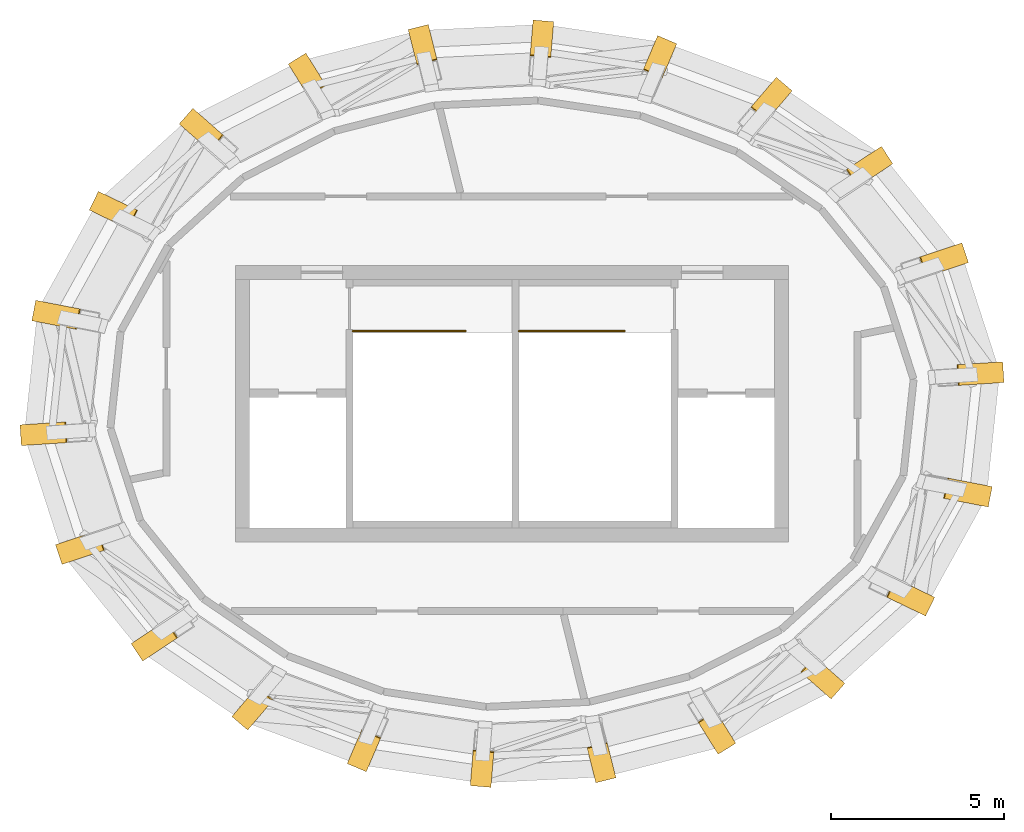
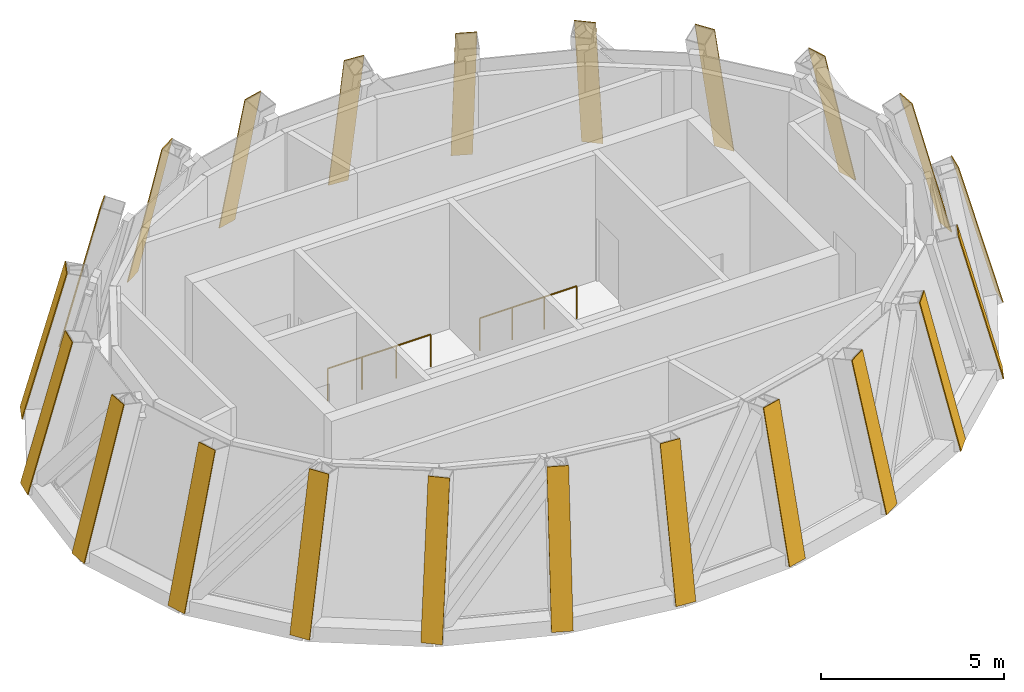
# One storey, part 6 of 6: 22 coverings, 2 railings.
"""IFC4 building model written with IfcOpenShell, lengths in metres."""

from ifc_helpers import new_model, si_unit, direction, frame, origin, origin_2d, place, context, subcontext, project, spatial, polyline, circle, outline, extrude, source, transform, mapped, material, layer, layer_set, type_object, element, save


model = new_model("IFC4")

# Units and contexts
model_context = context("Model", 3, precision=1e-05, world=origin(), true_north=direction((0.0, 1.0)))
body_context = subcontext(model_context, "Body", "Model", "MODEL_VIEW")
ifc_project = project(units=[si_unit("LENGTHUNIT", "METRE"), si_unit("AREAUNIT", "SQUARE_METRE"), si_unit("VOLUMEUNIT", "CUBIC_METRE"), si_unit("PLANEANGLEUNIT", "RADIAN"), si_unit("MASSUNIT", "GRAM", prefix="KILO")], contexts=[model_context])

# Site, building, storey
site_placement = place(None, origin())
site = spatial("IfcSite", under=ifc_project, at=site_placement, CompositionType="ELEMENT")
building_placement = place(site_placement, origin())
building = spatial("IfcBuilding", under=site, at=building_placement, Name="Embergate Tower", CompositionType="ELEMENT")
storey_placement = place(building_placement, frame((0.0, 0.0, 370.0)))
storey = spatial("IfcBuildingStorey", under=building, at=storey_placement, Name="L84", CompositionType="ELEMENT", Elevation=370.0)

# Coverings
ifc_material_1 = material(Name="Terracotta, extruded and fired", Category="masonry")
ifc_layer = layer(ifc_material_1, 0.030029296875)
ifc_layer_set = layer_set([ifc_layer], Name="Terracotta, extruded and fired")
covering_type = type_object("IfcCoveringType", Name="Terracotta hip facing", PredefinedType="CLADDING", material=ifc_layer_set)
shared_shape_1 = source(origin(), body_context, "Body", "SweptSolid", [
    extrude(outline(polyline([(0.0, 0.0), (4.964111328125, 0.0), (4.964111328125, -0.599853515625), (0.0, -0.599853515625), (0.0, 0.0)])), origin(), (0.0, 0.0, -1.0), 0.030029296875),
])
for number, where, z_axis, x_axis, name in (
    (1, (14.234130859375, 0.61328125, -0.058349609375), (0.962944963382, 0.062245830626, 0.262416565916), (-0.261870705025, -0.016917092517, 0.964954685895), "Hip facing L84-HP00"),
    (2, (-14.234130859375, -0.61328125, -0.058349609375), (-0.962944963382, -0.062245830626, 0.262416565916), (0.261870705025, 0.016917092517, 0.964954685895), "Hip facing L84-HP11"),
):
    element("IfcCovering", number, at=place(storey_placement, frame(where, z_axis=z_axis, x_axis=x_axis)), inside=storey, type_object=covering_type, Name=name, PredefinedType="CLADDING", context=body_context, shape_type="MappedRepresentation", body=[
        mapped(shared_shape_1, transform((0.0, 0.0, 0.0))),
    ])
shared_shape_2 = source(origin(), body_context, "Body", "SweptSolid", [
    extrude(outline(polyline([(0.0, 0.0), (4.945556640625, 0.0), (4.945556640625, -0.599853515625), (0.0, -0.60009765625), (0.0, 0.0)])), origin(), (0.0, 0.0, -1.0), 0.030029296875),
])
for number, where, z_axis, x_axis, name in (
    (3, (-11.967041015625, 6.14208984375, -0.06298828125), (-0.871810246498, 0.421913593524, 0.248869069394), (0.224037405566, -0.108365387213, 0.968537135974), "Hip facing L84-HP09"),
    (4, (11.967041015625, -6.14208984375, -0.06298828125), (0.871810246498, -0.421913593524, 0.248869069394), (-0.224037405566, 0.108365387213, 0.968537135974), "Hip facing L84-HP20"),
):
    element("IfcCovering", number, at=place(storey_placement, frame(where, z_axis=z_axis, x_axis=x_axis)), inside=storey, type_object=covering_type, Name=name, PredefinedType="CLADDING", context=body_context, shape_type="MappedRepresentation", body=[
        mapped(shared_shape_2, transform((0.0, 0.0, 0.0))),
    ])
shared_shape_3 = source(origin(), body_context, "Body", "SweptSolid", [
    extrude(outline(polyline([(0.0, 0.0), (4.96044921875, 0.0), (4.960205078125, -0.60009765625), (0.0, -0.599853515625), (0.0, 0.0)])), origin(), (0.0, 0.0, -1.0), 0.030029296875),
])
for number, where, z_axis, x_axis, name in (
    (5, (-13.777587890625, 2.9892578125, -0.059326171875), (-0.947879291917, 0.184468115049, 0.259800620641), (0.255029930709, -0.049559072546, 0.965662276767), "Hip facing L84-HP10"),
    (6, (13.777587890625, -2.9892578125, -0.059326171875), (0.947879291917, -0.184468115049, 0.259800620641), (-0.255029930709, 0.049559072546, 0.965662276767), "Hip facing L84-HP21"),
):
    element("IfcCovering", number, at=place(storey_placement, frame(where, z_axis=z_axis, x_axis=x_axis)), inside=storey, type_object=covering_type, Name=name, PredefinedType="CLADDING", context=body_context, shape_type="MappedRepresentation", body=[
        mapped(shared_shape_3, transform((0.0, 0.0, 0.0))),
    ])
shared_shape_4 = source(origin(), body_context, "Body", "SweptSolid", [
    extrude(outline(polyline([(0.0, 0.0), (4.953857421875, 0.0), (4.953857421875, -0.60009765625), (0.0, -0.60009765625), (0.0, 0.0)])), origin(), (0.0, 0.0, -1.0), 0.030029296875),
])
for number, where, z_axis, x_axis, name in (
    (7, (13.20556640625, 4.080078125, -0.060791015625), (0.917395804587, 0.30547077284, 0.255093207801), (-0.242046991448, -0.080534475636, 0.966916465971), "Hip facing L84-HP01"),
    (8, (-13.20556640625, -4.080078125, -0.060791015625), (-0.917395804587, -0.30547077284, 0.255093207801), (0.242046991448, 0.080534475636, 0.966916465971), "Hip facing L84-HP12"),
):
    element("IfcCovering", number, at=place(storey_placement, frame(where, z_axis=z_axis, x_axis=x_axis)), inside=storey, type_object=covering_type, Name=name, PredefinedType="CLADDING", context=body_context, shape_type="MappedRepresentation", body=[
        mapped(shared_shape_4, transform((0.0, 0.0, 0.0))),
    ])
shared_shape_5 = source(origin(), body_context, "Body", "SweptSolid", [
    extrude(outline(polyline([(0.0, 0.0), (4.937255859375, 0.0), (4.937255859375, -0.60009765625), (0.0, -0.60009765625), (0.0, 0.0)])), origin(), (0.0, 0.0, -1.0), 0.030029296875),
])
for number, where, z_axis, x_axis, name in (
    (9, (11.017578125, 6.94384765625, -0.06640625), (0.809200923802, 0.535912959297, 0.240813548155), (-0.200710682198, -0.133065396845, 0.97057138955), "Hip facing L84-HP02"),
    (10, (-11.017578125, -6.94384765625, -0.06640625), (-0.809200923802, -0.535912959297, 0.240813548155), (0.200710682198, 0.133065396845, 0.97057138955), "Hip facing L84-HP13"),
):
    element("IfcCovering", number, at=place(storey_placement, frame(where, z_axis=z_axis, x_axis=x_axis)), inside=storey, type_object=covering_type, Name=name, PredefinedType="CLADDING", context=body_context, shape_type="MappedRepresentation", body=[
        mapped(shared_shape_5, transform((0.0, 0.0, 0.0))),
    ])
shared_shape_6 = source(origin(), body_context, "Body", "SweptSolid", [
    extrude(outline(polyline([(0.0, 0.0), (4.918701171875, 0.0), (4.918701171875, -0.600341796875), (0.0, -0.60009765625), (0.0, 0.0)])), origin(), (0.0, 0.0, -1.0), 0.030029296875),
])
for number, where, z_axis, x_axis, name in (
    (11, (8.10400390625, 9.05224609375, -0.071533203125), (0.631719010561, 0.741695187117, 0.225431455445), (-0.146188997976, -0.171604540881, 0.974259030453), "Hip facing L84-HP03"),
    (12, (-8.10400390625, -9.05224609375, -0.071533203125), (-0.631719010561, -0.741695187117, 0.225431455445), (0.146188997976, 0.171604540881, 0.974259030453), "Hip facing L84-HP14"),
):
    element("IfcCovering", number, at=place(storey_placement, frame(where, z_axis=z_axis, x_axis=x_axis)), inside=storey, type_object=covering_type, Name=name, PredefinedType="CLADDING", context=body_context, shape_type="MappedRepresentation", body=[
        mapped(shared_shape_6, transform((0.0, 0.0, 0.0))),
    ])
shared_shape_7 = source(origin(), body_context, "Body", "SweptSolid", [
    extrude(outline(polyline([(0.0, 0.0), (4.90625, 0.0), (4.90625, -0.60009765625), (0.0, -0.60009765625), (0.0, 0.0)])), origin(), (0.0, 0.0, -1.0), 0.030029296875),
])
for number, where, z_axis, x_axis, name in (
    (13, (4.767578125, 10.41259765625, -0.076904296875), (0.384053035736, 0.898509172633, 0.212566536492), (-0.083547850106, -0.195459175232, 0.977146594714), "Hip facing L84-HP04"),
    (14, (-4.767578125, -10.41259765625, -0.076904296875), (-0.384053035736, -0.898509172633, 0.212566536492), (0.083547850106, 0.195459175232, 0.977146594714), "Hip facing L84-HP15"),
):
    element("IfcCovering", number, at=place(storey_placement, frame(where, z_axis=z_axis, x_axis=x_axis)), inside=storey, type_object=covering_type, Name=name, PredefinedType="CLADDING", context=body_context, shape_type="MappedRepresentation", body=[
        mapped(shared_shape_7, transform((0.0, 0.0, 0.0))),
    ])
shared_shape_8 = source(origin(), body_context, "Body", "SweptSolid", [
    extrude(outline(polyline([(0.0, 0.0), (4.899658203125, 0.0), (4.899658203125, -0.599853515625), (0.0, -0.599853515625), (0.0, 0.0)])), origin(), (0.0, 0.0, -1.0), 0.030029296875),
])
for number, where, z_axis, x_axis, name in (
    (15, (1.207763671875, 11.05078125, -0.078857421875), (0.081220828034, 0.975048077719, 0.206602089121), (-0.017140874765, -0.205889809678, 0.978425049088), "Hip facing L84-HP05"),
    (16, (-1.207763671875, -11.05078125, -0.078857421875), (-0.081220828034, -0.975048077719, 0.206602089121), (0.017140874765, 0.205889809678, 0.978425049088), "Hip facing L84-HP16"),
):
    element("IfcCovering", number, at=place(storey_placement, frame(where, z_axis=z_axis, x_axis=x_axis)), inside=storey, type_object=covering_type, Name=name, PredefinedType="CLADDING", context=body_context, shape_type="MappedRepresentation", body=[
        mapped(shared_shape_8, transform((0.0, 0.0, 0.0))),
    ])
shared_shape_9 = source(origin(), body_context, "Body", "SweptSolid", [
    extrude(outline(polyline([(0.0, 0.0), (4.901611328125, 0.0), (4.901611328125, -0.599853515625), (0.0, -0.599853515625), (0.0, 0.0)])), origin(), (0.0, 0.0, -1.0), 0.030029296875),
])
for number, where, z_axis, x_axis, name in (
    (17, (-2.42333984375, 10.966796875, -0.078125), (-0.237209901437, 0.94883960575, 0.208410328967), (0.050605527649, -0.202173067646, 0.978041477285), "Hip facing L84-HP06"),
    (18, (2.42333984375, -10.966796875, -0.078125), (0.237209901437, -0.94883960575, 0.208410328967), (-0.050605527649, 0.202173067646, 0.978041477285), "Hip facing L84-HP17"),
):
    element("IfcCovering", number, at=place(storey_placement, frame(where, z_axis=z_axis, x_axis=x_axis)), inside=storey, type_object=covering_type, Name=name, PredefinedType="CLADDING", context=body_context, shape_type="MappedRepresentation", body=[
        mapped(shared_shape_9, transform((0.0, 0.0, 0.0))),
    ])
shared_shape_10 = source(origin(), body_context, "Body", "SweptSolid", [
    extrude(outline(polyline([(0.0, 0.0), (4.910400390625, 0.0), (4.91064453125, -0.599853515625), (0.0, -0.60009765625), (0.0, 0.0)])), origin(), (0.0, 0.0, -1.0), 0.030029296875),
])
for number, where, z_axis, x_axis, name in (
    (19, (-5.963134765625, 10.141845703125, -0.073974609375), (-0.515008088992, 0.82889698209, 0.218395195359), (0.115252716826, -0.185508147129, 0.975860409389), "Hip facing L84-HP07"),
    (20, (5.963134765625, -10.141845703125, -0.073974609375), (0.515008088992, -0.82889698209, 0.218395195359), (-0.115252716826, 0.185508147129, 0.975860409389), "Hip facing L84-HP18"),
):
    element("IfcCovering", number, at=place(storey_placement, frame(where, z_axis=z_axis, x_axis=x_axis)), inside=storey, type_object=covering_type, Name=name, PredefinedType="CLADDING", context=body_context, shape_type="MappedRepresentation", body=[
        mapped(shared_shape_10, transform((0.0, 0.0, 0.0))),
    ])
shared_shape_11 = source(origin(), body_context, "Body", "SweptSolid", [
    extrude(outline(polyline([(0.0, 0.0), (4.927490234375, 0.0), (4.927490234375, -0.599853515625), (0.0, -0.599853515625), (0.0, 0.0)])), origin(), (0.0, 0.0, -1.0), 0.030029296875),
])
for number, where, z_axis, x_axis, name in (
    (21, (-9.232421875, 8.543212890625, -0.069091796875), (-0.729440078153, 0.643157963646, 0.232948505432), (0.174748774861, -0.154038542966, 0.972489070872), "Hip facing L84-HP08"),
    (22, (9.232421875, -8.543212890625, -0.069091796875), (0.729440078153, -0.643157963646, 0.232948505432), (-0.174748774861, 0.154038542966, 0.972489070872), "Hip facing L84-HP19"),
):
    element("IfcCovering", number, at=place(storey_placement, frame(where, z_axis=z_axis, x_axis=x_axis)), inside=storey, type_object=covering_type, Name=name, PredefinedType="CLADDING", context=body_context, shape_type="MappedRepresentation", body=[
        mapped(shared_shape_11, transform((0.0, 0.0, 0.0))),
    ])

# Railings
ifc_material_2 = material(Name="Stair guard 1100")
railing_type = type_object("IfcRailingType", Name="Stair guard 1100", PredefinedType="GUARDRAIL", material=ifc_material_2)
shared_shape_12 = source(origin(), body_context, "Body", "SweptSolid", [
    extrude(circle(Radius=0.02392578125, at=origin_2d()), frame((0.0, 0.0, 1.076171875), z_axis=(1.0, 0.0, 0.0), x_axis=(0.0, 1.0, 0.0)), (0.0, 0.0, 1.0), 3.050048828125),
    extrude(circle(Radius=0.02099609375, at=origin_2d()), origin(), (0.0, 0.0, 1.0), 1.052001953125),
    extrude(circle(Radius=0.02099609375, at=origin_2d()), frame((1.0166015625, 0.0, 0.0)), (0.0, 0.0, 1.0), 1.052001953125),
    extrude(circle(Radius=0.02099609375, at=origin_2d()), frame((2.033447265625, 0.0, 0.0)), (0.0, 0.0, 1.0), 1.052001953125),
    extrude(circle(Radius=0.02099609375, at=origin_2d()), frame((3.050048828125, 0.0, 0.0)), (0.0, 0.0, 1.0), 1.052001953125),
])
railing_1_placement = place(storey_placement, frame((0.199951171875, 2.10009765625, 0.0)))
element("IfcRailing", 23, at=railing_1_placement, inside=storey, type_object=railing_type, Name="L84 ST1 top well guard 1", PredefinedType="GUARDRAIL", context=body_context, shape_type="MappedRepresentation", body=[
    mapped(shared_shape_12, transform((0.0, 0.0, 0.0))),
])
shared_shape_13 = source(origin(), body_context, "Body", "SweptSolid", [
    extrude(circle(Radius=0.02392578125, at=origin_2d()), frame((0.0, 0.0, 1.076171875), z_axis=(1.0, 0.0, 0.0), x_axis=(0.0, 1.0, 0.0)), (0.0, 0.0, 1.0), 3.25),
    extrude(circle(Radius=0.02099609375, at=origin_2d()), origin(), (0.0, 0.0, 1.0), 1.052001953125),
    extrude(circle(Radius=0.02099609375, at=origin_2d()), frame((1.083251953125, 0.0, 0.0)), (0.0, 0.0, 1.0), 1.052001953125),
    extrude(circle(Radius=0.02099609375, at=origin_2d()), frame((2.166748046875, 0.0, 0.0)), (0.0, 0.0, 1.0), 1.052001953125),
    extrude(circle(Radius=0.02099609375, at=origin_2d()), frame((3.25, 0.0, 0.0)), (0.0, 0.0, 1.0), 1.052001953125),
])
railing_2_placement = place(storey_placement, frame((-4.60009765625, 2.10009765625, 0.0)))
element("IfcRailing", 24, at=railing_2_placement, inside=storey, type_object=railing_type, Name="L84 ST3 top well guard 1", PredefinedType="GUARDRAIL", context=body_context, shape_type="MappedRepresentation", body=[
    mapped(shared_shape_13, transform((0.0, 0.0, 0.0))),
])

save(model, "model.ifc")
